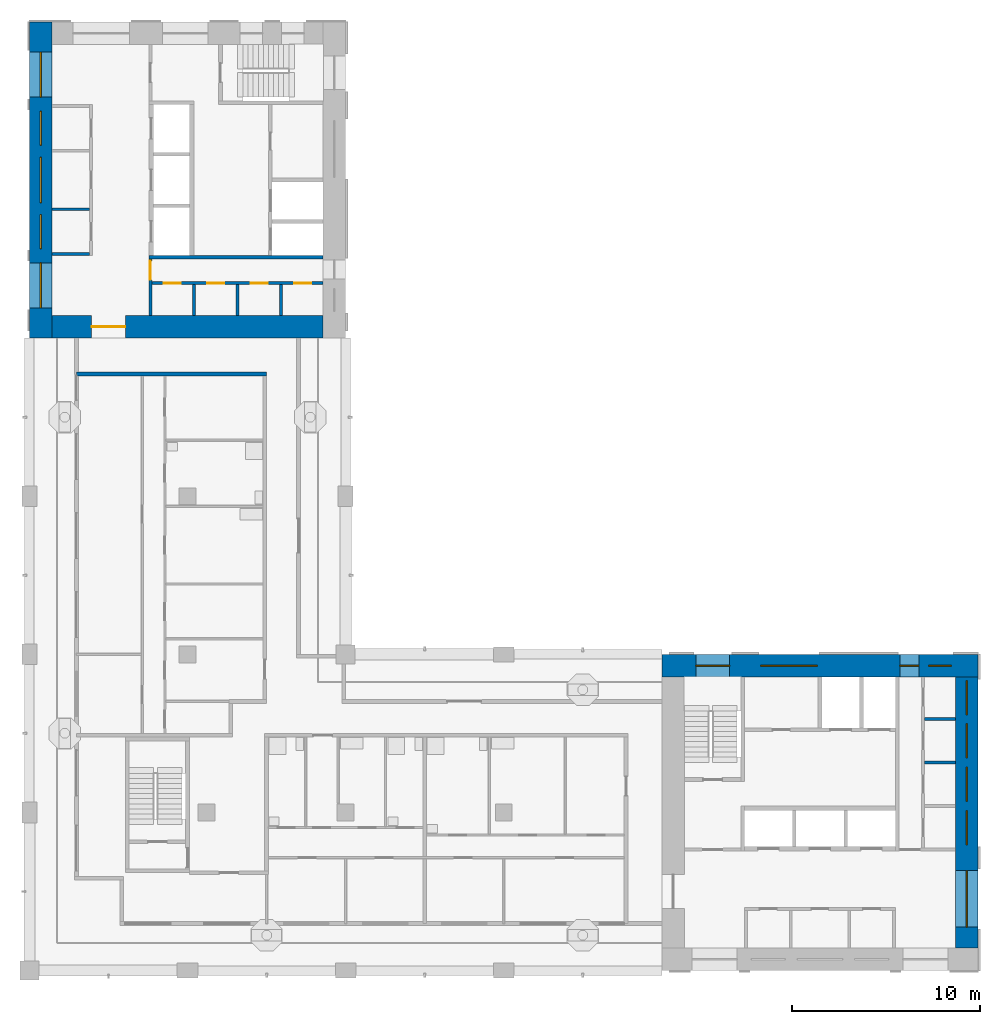
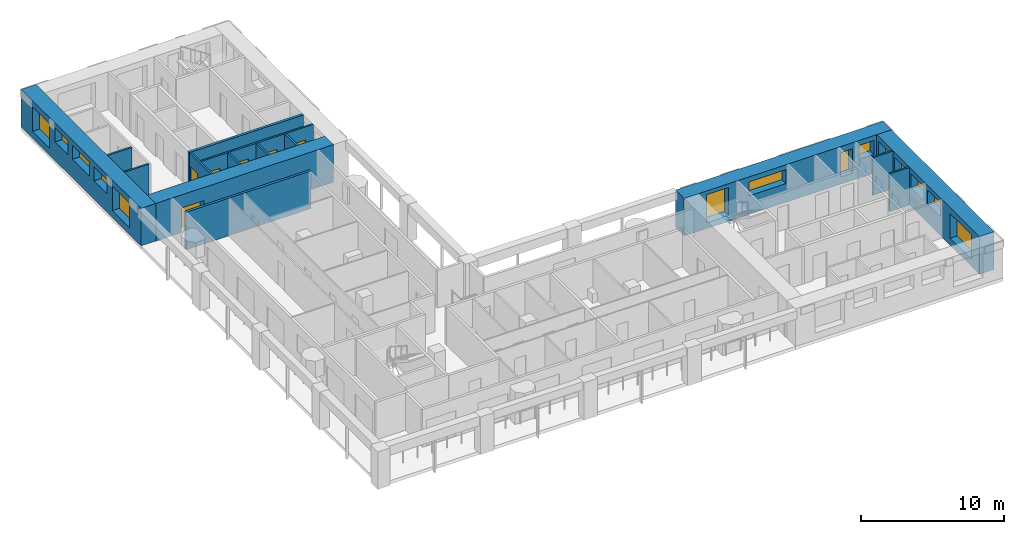
# One storey, part 5 of 12: 15 walls, 14 windows, 6 doors, 20 openings.
"""IFC4 building model written with IfcOpenShell, lengths in metres."""

from ifc_helpers import new_model, si_unit, direction, frame, frame_2d, origin, place, context, subcontext, project, spatial, rectangle, extrude, material, layer, layer_set, type_object, element, fill, save


model = new_model("IFC4")

# Units and contexts
model_context = context("Model", 3, precision=1e-05, world=origin(), true_north=direction((0.0, 1.0)))
body_context = subcontext(model_context, "Body", "Model", "MODEL_VIEW")
ifc_project = project(units=[si_unit("LENGTHUNIT", "METRE"), si_unit("AREAUNIT", "SQUARE_METRE"), si_unit("VOLUMEUNIT", "CUBIC_METRE"), si_unit("PLANEANGLEUNIT", "RADIAN"), si_unit("MASSUNIT", "GRAM", prefix="KILO")], contexts=[model_context])

# Site, building, storey
site_placement = place(None, origin())
site = spatial("IfcSite", under=ifc_project, at=site_placement, CompositionType="ELEMENT")
building_placement = place(site_placement, origin())
building = spatial("IfcBuilding", under=site, at=building_placement, Name="Vermilion Gate Residences", CompositionType="ELEMENT")
storey_placement = place(building_placement, frame((0.0, 0.0, 235.199951171875)))
storey = spatial("IfcBuildingStorey", under=building, at=storey_placement, Name="L61", CompositionType="ELEMENT", Elevation=235.199951171875)

# Walls
ifc_material_1 = material(Name="Masonry blockwork", Category="masonry")
ifc_layer_1 = layer(ifc_material_1, 0.14990234375)
ifc_layer_set_1 = layer_set([ifc_layer_1], Name="BLOCKWORK PARTITION 150 EI 120")
wall_type_1 = type_object("IfcWallType", Name="BLOCKWORK PARTITION 150 EI 120", PredefinedType="PARTITIONING", material=ifc_layer_set_1)
for number, where, z_axis, x_axis, name in (
    (1, (55.949951171875, 19.449951171875, 0.0), (0.0, 0.0, 1.0), (1.0, 0.0, 0.0), "Core room partition A61-ES-P1"),
    (2, (55.949951171875, 21.762451171875, 0.0), (0.0, 0.0, 1.0), (1.0, 0.0, 0.0), "Core room partition A61-ES-P2"),
):
    element("IfcWall", number, at=place(storey_placement, frame(where, z_axis=z_axis, x_axis=x_axis)), inside=storey, type_object=wall_type_1, Name=name, PredefinedType="PARTITIONING", context=body_context, shape_type="SweptSolid", body=[
        extrude(rectangle(XDim=1.650146484375, YDim=0.14990234375, at=frame_2d((0.8251953125, 0.0))), origin(), (0.0, 0.0, 1.0), 3.219970703125),
    ])
for number, where, z_axis, x_axis, name in (
    (3, (9.60009765625, 46.47509765625, 0.0), (0.0, 0.0, 1.0), (1.0, 0.0, 0.0), "Core room partition B61-RW-E"),
    (4, (9.60009765625, 48.844970703125, 0.0), (0.0, 0.0, 1.0), (1.0, 0.0, 0.0), "Core room partition B61-SR-P1"),
):
    element("IfcWall", number, at=place(storey_placement, frame(where, z_axis=z_axis, x_axis=x_axis)), inside=storey, type_object=wall_type_1, Name=name, PredefinedType="PARTITIONING", context=body_context, shape_type="SweptSolid", body=[
        extrude(rectangle(XDim=2.0, YDim=0.14990234375, at=frame_2d((1.0, 0.0))), origin(), (0.0, 0.0, 1.0), 3.219970703125),
    ])

# Wall, opening, door
wall_1_placement = place(storey_placement, frame((14.824951171875, 46.199951171875, 0.0), z_axis=(0.0, 0.0, 1.0), x_axis=(0.0, -1.0, 0.0)))
wall_1 = element("IfcWall", 5, at=wall_1_placement, inside=storey, type_object=wall_type_1, Name="Core room partition B61-ES-S", PredefinedType="PARTITIONING", context=body_context, shape_type="SweptSolid", body=[
    extrude(rectangle(XDim=3.0, YDim=0.14990234375, at=frame_2d((1.5, 0.0))), origin(), (0.0, 0.0, 1.0), 3.219970703125),
])
opening_1_placement = place(wall_1_placement, frame((0.10009765625, 0.0, 0.0)))
opening_1 = element("IfcOpeningElement", 6, at=opening_1_placement, cuts=wall_1, Name="Opening DK61113", PredefinedType="OPENING", context=body_context, shape_type="SweptSolid", body=[
    extrude(rectangle(XDim=1.0, YDim=2.10009765625, at=frame_2d((0.5, 1.050048828125))), frame((0.0, 0.0849609375, 0.0), z_axis=(0.0, -1.0, 0.0), x_axis=(1.0, 0.0, 0.0)), (0.0, 0.0, 1.0), 0.169921875),
])
ifc_material_2 = material(Name="Steel", Category="steel")
door_type_1 = type_object("IfcDoorType", Name="FIRE DOOR FD60 1000 X 2100", OperationType="SINGLE_SWING_LEFT", PredefinedType="DOOR", material=ifc_material_2)
door_1_placement = place(opening_1_placement, frame((1.0, 0.0, 0.0), z_axis=(0.0, 0.0, 1.0), x_axis=(-1.0, 0.0, 0.0)))
door_1 = element("IfcDoor", 7, at=door_1_placement, inside=storey, type_object=door_type_1, Name="Service corridor door B61", OperationType="SINGLE_SWING_LEFT", OverallHeight=2.10009765625, OverallWidth=1.0, PredefinedType="DOOR", context=body_context, shape_type="SweptSolid", body=[
    extrude(rectangle(XDim=1.0, YDim=2.10009765625, at=frame_2d((0.5, 1.050048828125))), frame((0.0, 0.02490234375, 0.0), z_axis=(0.0, -1.0, 0.0), x_axis=(1.0, 0.0, 0.0)), (0.0, 0.0, 1.0), 0.050048828125),
])
fill(opening_1, door_1)

# Walls
for number, where, z_axis, x_axis, name in (
    (8, (17.137451171875, 44.85009765625, 0.0), (0.0, 0.0, 1.0), (0.0, -1.0, 0.0), "Core room partition B61-ES-P0"),
    (9, (19.449951171875, 44.85009765625, 0.0), (0.0, 0.0, 1.0), (0.0, -1.0, 0.0), "Core room partition B61-ES-P1"),
    (10, (21.762451171875, 44.85009765625, 0.0), (0.0, 0.0, 1.0), (0.0, -1.0, 0.0), "Core room partition B61-ES-P2"),
):
    element("IfcWall", number, at=place(storey_placement, frame(where, z_axis=z_axis, x_axis=x_axis)), inside=storey, type_object=wall_type_1, Name=name, PredefinedType="PARTITIONING", context=body_context, shape_type="SweptSolid", body=[
        extrude(rectangle(XDim=1.650146484375, YDim=0.14990234375, at=frame_2d((0.8251953125, 0.0))), origin(), (0.0, 0.0, 1.0), 3.219970703125),
    ])

# Wall, openings, doors
wall_2_placement = place(storey_placement, frame((14.89990234375, 44.925048828125, 0.0), z_axis=(0.0, 0.0, 1.0), x_axis=(1.0, 0.0, 0.0)))
wall_2 = element("IfcWall", 11, at=wall_2_placement, inside=storey, type_object=wall_type_1, Name="Core room partition B61-ES-W", PredefinedType="PARTITIONING", context=body_context, shape_type="SweptSolid", body=[
    extrude(rectangle(XDim=9.10009765625, YDim=0.14990234375, at=frame_2d((4.550048828125, 0.0))), origin(), (0.0, 0.0, 1.0), 3.219970703125),
])
opening_2_placement = place(wall_2_placement, frame((0.63134765625, 0.0, 0.0)))
opening_2 = element("IfcOpeningElement", 12, at=opening_2_placement, cuts=wall_2, Name="Opening DK61114", PredefinedType="OPENING", context=body_context, shape_type="SweptSolid", body=[
    extrude(rectangle(XDim=0.89990234375, YDim=2.10009765625, at=frame_2d((0.449951171875, 1.050048828125))), frame((0.0, 0.0849609375, 0.0), z_axis=(0.0, -1.0, 0.0), x_axis=(1.0, 0.0, 0.0)), (0.0, 0.0, 1.0), 0.169921875),
])
opening_3_placement = place(wall_2_placement, frame((2.94384765625, 0.0, 0.0)))
opening_3 = element("IfcOpeningElement", 13, at=opening_3_placement, cuts=wall_2, Name="Opening DK61115", PredefinedType="OPENING", context=body_context, shape_type="SweptSolid", body=[
    extrude(rectangle(XDim=0.89990234375, YDim=2.10009765625, at=frame_2d((0.449951171875, 1.050048828125))), frame((0.0, 0.0849609375, 0.0), z_axis=(0.0, -1.0, 0.0), x_axis=(1.0, 0.0, 0.0)), (0.0, 0.0, 1.0), 0.169921875),
])
opening_4_placement = place(wall_2_placement, frame((5.25634765625, 0.0, 0.0)))
opening_4 = element("IfcOpeningElement", 14, at=opening_4_placement, cuts=wall_2, Name="Opening DK61116", PredefinedType="OPENING", context=body_context, shape_type="SweptSolid", body=[
    extrude(rectangle(XDim=0.89990234375, YDim=2.10009765625, at=frame_2d((0.449951171875, 1.050048828125))), frame((0.0, 0.0849609375, 0.0), z_axis=(0.0, -1.0, 0.0), x_axis=(1.0, 0.0, 0.0)), (0.0, 0.0, 1.0), 0.169921875),
])
opening_5_placement = place(wall_2_placement, frame((7.56884765625, 0.0, 0.0)))
opening_5 = element("IfcOpeningElement", 15, at=opening_5_placement, cuts=wall_2, Name="Opening DK61117", PredefinedType="OPENING", context=body_context, shape_type="SweptSolid", body=[
    extrude(rectangle(XDim=0.89990234375, YDim=2.10009765625, at=frame_2d((0.449951171875, 1.050048828125))), frame((0.0, 0.0849609375, 0.0), z_axis=(0.0, -1.0, 0.0), x_axis=(1.0, 0.0, 0.0)), (0.0, 0.0, 1.0), 0.169921875),
])
ifc_material_3 = material(Name="Steel", Category="steel")
door_type_2 = type_object("IfcDoorType", Name="SERVICE ROOM DOOR FD60 900 X 2100", OperationType="SINGLE_SWING_LEFT", PredefinedType="DOOR", material=ifc_material_3)
door_2_placement = place(opening_2_placement, frame((0.89990234375, 0.0, 0.0), z_axis=(0.0, 0.0, 1.0), x_axis=(-1.0, 0.0, 0.0)))
door_2 = element("IfcDoor", 16, at=door_2_placement, inside=storey, type_object=door_type_2, Name="Storage room B61", OperationType="SINGLE_SWING_RIGHT", OverallHeight=2.10009765625, OverallWidth=0.89990234375, PredefinedType="DOOR", context=body_context, shape_type="SweptSolid", body=[
    extrude(rectangle(XDim=0.89990234375, YDim=2.10009765625, at=frame_2d((0.449951171875, 1.050048828125))), frame((0.0, 0.02490234375, 0.0), z_axis=(0.0, -1.0, 0.0), x_axis=(1.0, 0.0, 0.0)), (0.0, 0.0, 1.0), 0.050048828125),
])
fill(opening_2, door_2)
door_3_placement = place(opening_3_placement, frame((0.89990234375, 0.0, 0.0), z_axis=(0.0, 0.0, 1.0), x_axis=(-1.0, 0.0, 0.0)))
door_3 = element("IfcDoor", 17, at=door_3_placement, inside=storey, type_object=door_type_2, Name="Refuse room B61", OperationType="SINGLE_SWING_RIGHT", OverallHeight=2.10009765625, OverallWidth=0.89990234375, PredefinedType="DOOR", context=body_context, shape_type="SweptSolid", body=[
    extrude(rectangle(XDim=0.89990234375, YDim=2.10009765625, at=frame_2d((0.449951171875, 1.050048828125))), frame((0.0, 0.02490234375, 0.0), z_axis=(0.0, -1.0, 0.0), x_axis=(1.0, 0.0, 0.0)), (0.0, 0.0, 1.0), 0.050048828125),
])
fill(opening_3, door_3)
door_4_placement = place(opening_4_placement, frame((0.89990234375, 0.0, 0.0), z_axis=(0.0, 0.0, 1.0), x_axis=(-1.0, 0.0, 0.0)))
door_4 = element("IfcDoor", 18, at=door_4_placement, inside=storey, type_object=door_type_2, Name="Parcel room B61", OperationType="SINGLE_SWING_RIGHT", OverallHeight=2.10009765625, OverallWidth=0.89990234375, PredefinedType="DOOR", context=body_context, shape_type="SweptSolid", body=[
    extrude(rectangle(XDim=0.89990234375, YDim=2.10009765625, at=frame_2d((0.449951171875, 1.050048828125))), frame((0.0, 0.02490234375, 0.0), z_axis=(0.0, -1.0, 0.0), x_axis=(1.0, 0.0, 0.0)), (0.0, 0.0, 1.0), 0.050048828125),
])
fill(opening_4, door_4)
door_5_placement = place(opening_5_placement, frame((0.89990234375, 0.0, 0.0), z_axis=(0.0, 0.0, 1.0), x_axis=(-1.0, 0.0, 0.0)))
door_5 = element("IfcDoor", 19, at=door_5_placement, inside=storey, type_object=door_type_2, Name="Cleaner's store B61", OperationType="SINGLE_SWING_RIGHT", OverallHeight=2.10009765625, OverallWidth=0.89990234375, PredefinedType="DOOR", context=body_context, shape_type="SweptSolid", body=[
    extrude(rectangle(XDim=0.89990234375, YDim=2.10009765625, at=frame_2d((0.449951171875, 1.050048828125))), frame((0.0, 0.02490234375, 0.0), z_axis=(0.0, -1.0, 0.0), x_axis=(1.0, 0.0, 0.0)), (0.0, 0.0, 1.0), 0.050048828125),
])
fill(opening_5, door_5)

# Walls
ifc_material_4 = material(Name="Fire-rated plasterboard on steel studs", Category="steel")
ifc_layer_2 = layer(ifc_material_4, 0.199951171875)
ifc_layer_set_2 = layer_set([ifc_layer_2], Name="PARTY WALL 200 EI 120")
wall_type_2 = type_object("IfcWallType", Name="PARTY WALL 200 EI 120", PredefinedType="PARTITIONING", material=ifc_layer_set_2)
wall_3_placement = place(storey_placement, frame((10.89990234375, 40.10009765625, 0.0), z_axis=(0.0, 0.0, 1.0), x_axis=(1.0, 0.0, 0.0)))
element("IfcWall", 20, at=wall_3_placement, inside=storey, type_object=wall_type_2, Name="Party and corridor wall", PredefinedType="PARTITIONING", context=body_context, shape_type="SweptSolid", body=[
    extrude(rectangle(XDim=10.10009765625, YDim=0.199951171875, at=frame_2d((5.050048828125, 0.0))), origin(), (0.0, 0.0, 1.0), 3.219970703125),
])
ifc_material_5 = material(Name="Concrete C60", Category="concrete")
ifc_layer_3 = layer(ifc_material_5, 0.199951171875)
ifc_layer_set_3 = layer_set([ifc_layer_3], Name="RC CORE INTERNAL WALL 200 C60")
wall_type_3 = type_object("IfcWallType", Name="RC CORE INTERNAL WALL 200 C60", PredefinedType="SHEAR", material=ifc_layer_set_3)
wall_4_placement = place(storey_placement, frame((14.75, 46.300048828125, 0.0), z_axis=(0.0, 0.0, 1.0), x_axis=(1.0, 0.0, 0.0)))
element("IfcWall", 21, at=wall_4_placement, inside=storey, type_object=wall_type_3, Name="Core internal wall B61-EDIV", PredefinedType="SHEAR", context=body_context, shape_type="SweptSolid", body=[
    extrude(rectangle(XDim=9.25, YDim=0.199951171875, at=frame_2d((4.625, 0.0))), origin(), (0.0, 0.0, 1.0), 3.219970703125),
])

# Wall, opening, door
ifc_material_6 = material(Name="Concrete C50", Category="concrete")
ifc_layer_4 = layer(ifc_material_6, 1.199951171875)
ifc_layer_set_4 = layer_set([ifc_layer_4], Name="RC CORE WALL 1200 C50")
wall_type_4 = type_object("IfcWallType", Name="RC CORE WALL 1200 C50", PredefinedType="SHEAR", material=ifc_layer_set_4)
wall_5_placement = place(storey_placement, frame((9.60009765625, 42.60009765625, 0.0), z_axis=(0.0, 0.0, 1.0), x_axis=(1.0, 0.0, 0.0)))
wall_5 = element("IfcWall", 22, at=wall_5_placement, inside=storey, type_object=wall_type_4, Name="Core wall B61-OUT-BK", PredefinedType="SHEAR", context=body_context, shape_type="SweptSolid", body=[
    extrude(rectangle(XDim=14.39990234375, YDim=1.199951171875, at=frame_2d((7.199951171875, 0.0))), origin(), (0.0, 0.0, 1.0), 3.219970703125),
])
opening_6_placement = place(wall_5_placement, frame((2.10009765625, 0.0, 0.0)))
opening_6 = element("IfcOpeningElement", 23, at=opening_6_placement, cuts=wall_5, Name="Opening DK61101", PredefinedType="OPENING", context=body_context, shape_type="SweptSolid", body=[
    extrude(rectangle(XDim=1.800048828125, YDim=2.10009765625, at=frame_2d((0.89990234375, 1.050048828125))), frame((0.0, 0.60986328125, 0.0), z_axis=(0.0, -1.0, 0.0), x_axis=(1.0, 0.0, 0.0)), (0.0, 0.0, 1.0), 1.219970703125),
])
ifc_material_7 = material(Name="Steel", Category="steel")
door_type_3 = type_object("IfcDoorType", Name="CORE LOBBY DOOR FD60 1800 X 2100", OperationType="DOUBLE_DOOR_SINGLE_SWING", PredefinedType="DOOR", material=ifc_material_7)
door_6_placement = place(opening_6_placement, frame((1.800048828125, 0.0, 0.0), z_axis=(0.0, 0.0, 1.0), x_axis=(-1.0, 0.0, 0.0)))
door_6 = element("IfcDoor", 24, at=door_6_placement, inside=storey, type_object=door_type_3, Name="Core lobby door B61", OperationType="DOUBLE_DOOR_SINGLE_SWING", OverallHeight=2.10009765625, OverallWidth=1.800048828125, PredefinedType="DOOR", context=body_context, shape_type="SweptSolid", body=[
    extrude(rectangle(XDim=1.800048828125, YDim=2.10009765625, at=frame_2d((0.89990234375, 1.050048828125))), frame((0.0, 0.02490234375, 0.0), z_axis=(0.0, -1.0, 0.0), x_axis=(1.0, 0.0, 0.0)), (0.0, 0.0, 1.0), 0.050048828125),
])
fill(opening_6, door_6)

# Wall, openings, windows
ifc_material_8 = material(Name="Concrete C50 red-oxide pigmented", Category="concrete")
ifc_layer_5 = layer(ifc_material_8, 1.199951171875)
ifc_layer_set_5 = layer_set([ifc_layer_5], Name="RC CORE WALL 1200 C50 RED OXIDE")
wall_type_5 = type_object("IfcWallType", Name="RC CORE WALL 1200 C50 RED OXIDE", PredefinedType="SHEAR", material=ifc_layer_set_5)
wall_6_placement = place(storey_placement, frame((42.0, 24.60009765625, 0.0), z_axis=(0.0, 0.0, 1.0), x_axis=(1.0, 0.0, 0.0)))
wall_6 = element("IfcWall", 25, at=wall_6_placement, inside=storey, type_object=wall_type_5, Name="Core wall A61-OUT-B1", PredefinedType="SHEAR", context=body_context, shape_type="SweptSolid", body=[
    extrude(rectangle(XDim=16.800048828125, YDim=1.199951171875, at=frame_2d((8.39990234375, 0.0))), origin(), (0.0, 0.0, 1.0), 3.219970703125),
])
opening_7_placement = place(wall_6_placement, frame((1.800048828125, 0.0, 0.5)))
opening_7 = element("IfcOpeningElement", 26, at=opening_7_placement, cuts=wall_6, Name="Opening WKA6106", PredefinedType="OPENING", context=body_context, shape_type="SweptSolid", body=[
    extrude(rectangle(XDim=1.800048828125, YDim=2.39990234375, at=frame_2d((0.89990234375, 1.199951171875))), frame((0.0, 0.60986328125, 0.0), z_axis=(0.0, -1.0, 0.0), x_axis=(1.0, 0.0, 0.0)), (0.0, 0.0, 1.0), 1.219970703125),
])
opening_8_placement = place(wall_6_placement, frame((5.25, 0.0, 1.60009765625)))
opening_8 = element("IfcOpeningElement", 27, at=opening_8_placement, cuts=wall_6, Name="Opening WKA6107", PredefinedType="OPENING", context=body_context, shape_type="SweptSolid", body=[
    extrude(rectangle(XDim=3.0, YDim=1.199951171875, at=frame_2d((1.5, 0.60009765625))), frame((0.0, 0.60986328125, 0.0), z_axis=(0.0, -1.0, 0.0), x_axis=(1.0, 0.0, 0.0)), (0.0, 0.0, 1.0), 1.219970703125),
])
opening_9_placement = place(wall_6_placement, frame((12.64990234375, 0.0, 0.60009765625)))
opening_9 = element("IfcOpeningElement", 28, at=opening_9_placement, cuts=wall_6, Name="Opening WKA6108", PredefinedType="OPENING", context=body_context, shape_type="SweptSolid", body=[
    extrude(rectangle(XDim=1.0, YDim=2.10009765625, at=frame_2d((0.5, 1.050048828125))), frame((0.0, 0.60986328125, 0.0), z_axis=(0.0, -1.0, 0.0), x_axis=(1.0, 0.0, 0.0)), (0.0, 0.0, 1.0), 1.219970703125),
])
opening_10_placement = place(wall_6_placement, frame((14.175048828125, 0.0, 1.60009765625)))
opening_10 = element("IfcOpeningElement", 29, at=opening_10_placement, cuts=wall_6, Name="Opening WKA6109", PredefinedType="OPENING", context=body_context, shape_type="SweptSolid", body=[
    extrude(rectangle(XDim=1.199951171875, YDim=1.199951171875, at=frame_2d((0.60009765625, 0.60009765625))), frame((0.0, 0.60986328125, 0.0), z_axis=(0.0, -1.0, 0.0), x_axis=(1.0, 0.0, 0.0)), (0.0, 0.0, 1.0), 1.219970703125),
])
ifc_material_9 = material(Name="Aluminium and clear glass", Category="aluminium")
window_type_1 = type_object("IfcWindowType", Name="CORE CORRIDOR WINDOW 1000 X 2100", PartitioningType="SINGLE_PANEL", PredefinedType="WINDOW", material=ifc_material_9)
window_1_placement = place(opening_9_placement, origin())
window_1 = element("IfcWindow", 30, at=window_1_placement, inside=storey, type_object=window_type_1, Name="Core corridor window", OverallHeight=2.10009765625, OverallWidth=1.0, PartitioningType="SINGLE_PANEL", PredefinedType="WINDOW", context=body_context, shape_type="SweptSolid", body=[
    extrude(rectangle(XDim=1.0, YDim=2.10009765625, at=frame_2d((0.5, 1.050048828125))), frame((0.0, 0.030029296875, 0.0), z_axis=(0.0, -1.0, 0.0), x_axis=(1.0, 0.0, 0.0)), (0.0, 0.0, 1.0), 0.06005859375),
])
fill(opening_9, window_1)
ifc_material_10 = material(Name="Aluminium frame with louvre blades", Category="aluminium")
window_type_2 = type_object("IfcWindowType", Name="CORE LOUVRE 1200 X 1200", PartitioningType="SINGLE_PANEL", PredefinedType="WINDOW", material=ifc_material_10)
window_2_placement = place(opening_10_placement, origin())
window_2 = element("IfcWindow", 31, at=window_2_placement, inside=storey, type_object=window_type_2, Name="Core louvre", OverallHeight=1.199951171875, OverallWidth=1.199951171875, PartitioningType="SINGLE_PANEL", PredefinedType="WINDOW", context=body_context, shape_type="SweptSolid", body=[
    extrude(rectangle(XDim=1.199951171875, YDim=1.199951171875, at=frame_2d((0.60009765625, 0.60009765625))), frame((0.0, 0.030029296875, 0.0), z_axis=(0.0, -1.0, 0.0), x_axis=(1.0, 0.0, 0.0)), (0.0, 0.0, 1.0), 0.06005859375),
])
fill(opening_10, window_2)
ifc_material_11 = material(Name="Aluminium frame with louvre blades", Category="aluminium")
window_type_3 = type_object("IfcWindowType", Name="CORE LOUVRE 3000 X 1200", PartitioningType="SINGLE_PANEL", PredefinedType="WINDOW", material=ifc_material_11)
window_3_placement = place(opening_8_placement, origin())
window_3 = element("IfcWindow", 32, at=window_3_placement, inside=storey, type_object=window_type_3, Name="Core louvre", OverallHeight=1.199951171875, OverallWidth=3.0, PartitioningType="SINGLE_PANEL", PredefinedType="WINDOW", context=body_context, shape_type="SweptSolid", body=[
    extrude(rectangle(XDim=3.0, YDim=1.199951171875, at=frame_2d((1.5, 0.60009765625))), frame((0.0, 0.030029296875, 0.0), z_axis=(0.0, -1.0, 0.0), x_axis=(1.0, 0.0, 0.0)), (0.0, 0.0, 1.0), 0.06005859375),
])
fill(opening_8, window_3)
ifc_material_12 = material(Name="Aluminium and clear glass", Category="aluminium")
window_type_4 = type_object("IfcWindowType", Name="CORE STAIR WINDOW 1800 X 2400", PartitioningType="SINGLE_PANEL", PredefinedType="WINDOW", material=ifc_material_12)
window_4_placement = place(opening_7_placement, origin())
window_4 = element("IfcWindow", 33, at=window_4_placement, inside=storey, type_object=window_type_4, Name="Core stair window", OverallHeight=2.39990234375, OverallWidth=1.800048828125, PartitioningType="SINGLE_PANEL", PredefinedType="WINDOW", context=body_context, shape_type="SweptSolid", body=[
    extrude(rectangle(XDim=1.800048828125, YDim=2.39990234375, at=frame_2d((0.89990234375, 1.199951171875))), frame((0.0, 0.030029296875, 0.0), z_axis=(0.0, -1.0, 0.0), x_axis=(1.0, 0.0, 0.0)), (0.0, 0.0, 1.0), 0.06005859375),
])
fill(opening_7, window_4)

wall_7_placement = place(storey_placement, frame((58.199951171875, 9.60009765625, 0.0), z_axis=(0.0, 0.0, 1.0), x_axis=(0.0, 1.0, 0.0)))
wall_7 = element("IfcWall", 34, at=wall_7_placement, inside=storey, type_object=wall_type_5, Name="Core wall A61-OUT-BK", PredefinedType="SHEAR", context=body_context, shape_type="SweptSolid", body=[
    extrude(rectangle(XDim=14.39990234375, YDim=1.199951171875, at=frame_2d((7.199951171875, 0.0))), origin(), (0.0, 0.0, 1.0), 3.219970703125),
])
opening_11_placement = place(wall_7_placement, frame((1.10498046875, 0.0, 0.60009765625)))
opening_11 = element("IfcOpeningElement", 35, at=opening_11_placement, cuts=wall_7, Name="Opening WKA6110", PredefinedType="OPENING", context=body_context, shape_type="SweptSolid", body=[
    extrude(rectangle(XDim=3.0, YDim=2.10009765625, at=frame_2d((1.5, 1.050048828125))), frame((0.0, 0.60986328125, 0.0), z_axis=(0.0, -1.0, 0.0), x_axis=(1.0, 0.0, 0.0)), (0.0, 0.0, 1.0), 1.219970703125),
])
opening_12_placement = place(wall_7_placement, frame((5.481201171875, 0.0, 1.60009765625)))
opening_12 = element("IfcOpeningElement", 36, at=opening_12_placement, cuts=wall_7, Name="Opening WKA6111", PredefinedType="OPENING", context=body_context, shape_type="SweptSolid", body=[
    extrude(rectangle(XDim=1.800048828125, YDim=1.199951171875, at=frame_2d((0.89990234375, 0.60009765625))), frame((0.0, 0.60986328125, 0.0), z_axis=(0.0, -1.0, 0.0), x_axis=(1.0, 0.0, 0.0)), (0.0, 0.0, 1.0), 1.219970703125),
])
opening_13_placement = place(wall_7_placement, frame((7.793701171875, 0.0, 1.60009765625)))
opening_13 = element("IfcOpeningElement", 37, at=opening_13_placement, cuts=wall_7, Name="Opening WKA6112", PredefinedType="OPENING", context=body_context, shape_type="SweptSolid", body=[
    extrude(rectangle(XDim=1.800048828125, YDim=1.199951171875, at=frame_2d((0.89990234375, 0.60009765625))), frame((0.0, 0.60986328125, 0.0), z_axis=(0.0, -1.0, 0.0), x_axis=(1.0, 0.0, 0.0)), (0.0, 0.0, 1.0), 1.219970703125),
])
opening_14_placement = place(wall_7_placement, frame((10.106201171875, 0.0, 1.60009765625)))
opening_14 = element("IfcOpeningElement", 38, at=opening_14_placement, cuts=wall_7, Name="Opening WKA6113", PredefinedType="OPENING", context=body_context, shape_type="SweptSolid", body=[
    extrude(rectangle(XDim=1.800048828125, YDim=1.199951171875, at=frame_2d((0.89990234375, 0.60009765625))), frame((0.0, 0.60986328125, 0.0), z_axis=(0.0, -1.0, 0.0), x_axis=(1.0, 0.0, 0.0)), (0.0, 0.0, 1.0), 1.219970703125),
])
opening_15_placement = place(wall_7_placement, frame((12.388916015625, 0.0, 1.60009765625)))
opening_15 = element("IfcOpeningElement", 39, at=opening_15_placement, cuts=wall_7, Name="Opening WKA6114", PredefinedType="OPENING", context=body_context, shape_type="SweptSolid", body=[
    extrude(rectangle(XDim=1.800048828125, YDim=1.199951171875, at=frame_2d((0.89990234375, 0.60009765625))), frame((0.0, 0.60986328125, 0.0), z_axis=(0.0, -1.0, 0.0), x_axis=(1.0, 0.0, 0.0)), (0.0, 0.0, 1.0), 1.219970703125),
])
ifc_material_13 = material(Name="Aluminium and clear glass", Category="aluminium")
window_type_5 = type_object("IfcWindowType", Name="CORE LOBBY WINDOW 3000 X 2100", PartitioningType="SINGLE_PANEL", PredefinedType="WINDOW", material=ifc_material_13)
window_5_placement = place(opening_11_placement, origin())
window_5 = element("IfcWindow", 40, at=window_5_placement, inside=storey, type_object=window_type_5, Name="Core lobby window", OverallHeight=2.10009765625, OverallWidth=3.0, PartitioningType="SINGLE_PANEL", PredefinedType="WINDOW", context=body_context, shape_type="SweptSolid", body=[
    extrude(rectangle(XDim=3.0, YDim=2.10009765625, at=frame_2d((1.5, 1.050048828125))), frame((0.0, 0.030029296875, 0.0), z_axis=(0.0, -1.0, 0.0), x_axis=(1.0, 0.0, 0.0)), (0.0, 0.0, 1.0), 0.06005859375),
])
fill(opening_11, window_5)
ifc_material_14 = material(Name="Aluminium frame with louvre blades", Category="aluminium")
window_type_6 = type_object("IfcWindowType", Name="CORE LOUVRE 1800 X 1200", PartitioningType="SINGLE_PANEL", PredefinedType="WINDOW", material=ifc_material_14)
window_6_placement = place(opening_12_placement, origin())
window_6 = element("IfcWindow", 41, at=window_6_placement, inside=storey, type_object=window_type_6, Name="Core louvre", OverallHeight=1.199951171875, OverallWidth=1.800048828125, PartitioningType="SINGLE_PANEL", PredefinedType="WINDOW", context=body_context, shape_type="SweptSolid", body=[
    extrude(rectangle(XDim=1.800048828125, YDim=1.199951171875, at=frame_2d((0.89990234375, 0.60009765625))), frame((0.0, 0.030029296875, 0.0), z_axis=(0.0, -1.0, 0.0), x_axis=(1.0, 0.0, 0.0)), (0.0, 0.0, 1.0), 0.06005859375),
])
fill(opening_12, window_6)
window_7_placement = place(opening_13_placement, origin())
window_7 = element("IfcWindow", 42, at=window_7_placement, inside=storey, type_object=window_type_6, Name="Core louvre", OverallHeight=1.199951171875, OverallWidth=1.800048828125, PartitioningType="SINGLE_PANEL", PredefinedType="WINDOW", context=body_context, shape_type="SweptSolid", body=[
    extrude(rectangle(XDim=1.800048828125, YDim=1.199951171875, at=frame_2d((0.89990234375, 0.60009765625))), frame((0.0, 0.030029296875, 0.0), z_axis=(0.0, -1.0, 0.0), x_axis=(1.0, 0.0, 0.0)), (0.0, 0.0, 1.0), 0.06005859375),
])
fill(opening_13, window_7)
window_8_placement = place(opening_14_placement, origin())
window_8 = element("IfcWindow", 43, at=window_8_placement, inside=storey, type_object=window_type_6, Name="Core louvre", OverallHeight=1.199951171875, OverallWidth=1.800048828125, PartitioningType="SINGLE_PANEL", PredefinedType="WINDOW", context=body_context, shape_type="SweptSolid", body=[
    extrude(rectangle(XDim=1.800048828125, YDim=1.199951171875, at=frame_2d((0.89990234375, 0.60009765625))), frame((0.0, 0.030029296875, 0.0), z_axis=(0.0, -1.0, 0.0), x_axis=(1.0, 0.0, 0.0)), (0.0, 0.0, 1.0), 0.06005859375),
])
fill(opening_14, window_8)
window_9_placement = place(opening_15_placement, origin())
window_9 = element("IfcWindow", 44, at=window_9_placement, inside=storey, type_object=window_type_6, Name="Core louvre", OverallHeight=1.199951171875, OverallWidth=1.800048828125, PartitioningType="SINGLE_PANEL", PredefinedType="WINDOW", context=body_context, shape_type="SweptSolid", body=[
    extrude(rectangle(XDim=1.800048828125, YDim=1.199951171875, at=frame_2d((0.89990234375, 0.60009765625))), frame((0.0, 0.030029296875, 0.0), z_axis=(0.0, -1.0, 0.0), x_axis=(1.0, 0.0, 0.0)), (0.0, 0.0, 1.0), 0.06005859375),
])
fill(opening_15, window_9)

wall_8_placement = place(storey_placement, frame((9.0, 58.800048828125, 0.0), z_axis=(0.0, 0.0, 1.0), x_axis=(0.0, -1.0, 0.0)))
wall_8 = element("IfcWall", 45, at=wall_8_placement, inside=storey, type_object=wall_type_5, Name="Core wall B61-OUT-B0", PredefinedType="SHEAR", context=body_context, shape_type="SweptSolid", body=[
    extrude(rectangle(XDim=16.800048828125, YDim=1.199951171875, at=frame_2d((8.39990234375, 0.0))), origin(), (0.0, 0.0, 1.0), 3.219970703125),
])
opening_16_placement = place(wall_8_placement, frame((1.60009765625, 0.0, 0.60009765625)))
opening_16 = element("IfcOpeningElement", 46, at=opening_16_placement, cuts=wall_8, Name="Opening WKB6101", PredefinedType="OPENING", context=body_context, shape_type="SweptSolid", body=[
    extrude(rectangle(XDim=2.39990234375, YDim=2.10009765625, at=frame_2d((1.199951171875, 1.050048828125))), frame((0.0, 0.60986328125, 0.0), z_axis=(0.0, -1.0, 0.0), x_axis=(1.0, 0.0, 0.0)), (0.0, 0.0, 1.0), 1.219970703125),
])
opening_17_placement = place(wall_8_placement, frame((4.760009765625, 0.0, 1.60009765625)))
opening_17 = element("IfcOpeningElement", 47, at=opening_17_placement, cuts=wall_8, Name="Opening WKB6102", PredefinedType="OPENING", context=body_context, shape_type="SweptSolid", body=[
    extrude(rectangle(XDim=1.800048828125, YDim=1.199951171875, at=frame_2d((0.89990234375, 0.60009765625))), frame((0.0, 0.60986328125, 0.0), z_axis=(0.0, -1.0, 0.0), x_axis=(1.0, 0.0, 0.0)), (0.0, 0.0, 1.0), 1.219970703125),
])
opening_18_placement = place(wall_8_placement, frame((7.199951171875, 0.0, 1.60009765625)))
opening_18 = element("IfcOpeningElement", 48, at=opening_18_placement, cuts=wall_8, Name="Opening WKB6103", PredefinedType="OPENING", context=body_context, shape_type="SweptSolid", body=[
    extrude(rectangle(XDim=2.39990234375, YDim=1.199951171875, at=frame_2d((1.199951171875, 0.60009765625))), frame((0.0, 0.60986328125, 0.0), z_axis=(0.0, -1.0, 0.0), x_axis=(1.0, 0.0, 0.0)), (0.0, 0.0, 1.0), 1.219970703125),
])
opening_19_placement = place(wall_8_placement, frame((10.239990234375, 0.0, 1.60009765625)))
opening_19 = element("IfcOpeningElement", 49, at=opening_19_placement, cuts=wall_8, Name="Opening WKB6104", PredefinedType="OPENING", context=body_context, shape_type="SweptSolid", body=[
    extrude(rectangle(XDim=1.800048828125, YDim=1.199951171875, at=frame_2d((0.89990234375, 0.60009765625))), frame((0.0, 0.60986328125, 0.0), z_axis=(0.0, -1.0, 0.0), x_axis=(1.0, 0.0, 0.0)), (0.0, 0.0, 1.0), 1.219970703125),
])
opening_20_placement = place(wall_8_placement, frame((12.800048828125, 0.0, 0.60009765625)))
opening_20 = element("IfcOpeningElement", 50, at=opening_20_placement, cuts=wall_8, Name="Opening WKB6105", PredefinedType="OPENING", context=body_context, shape_type="SweptSolid", body=[
    extrude(rectangle(XDim=2.39990234375, YDim=2.10009765625, at=frame_2d((1.199951171875, 1.050048828125))), frame((0.0, 0.60986328125, 0.0), z_axis=(0.0, -1.0, 0.0), x_axis=(1.0, 0.0, 0.0)), (0.0, 0.0, 1.0), 1.219970703125),
])
ifc_material_15 = material(Name="Aluminium and clear glass", Category="aluminium")
window_type_7 = type_object("IfcWindowType", Name="CORE LOBBY WINDOW 2400 X 2100", PartitioningType="SINGLE_PANEL", PredefinedType="WINDOW", material=ifc_material_15)
window_10_placement = place(opening_16_placement, origin())
window_10 = element("IfcWindow", 51, at=window_10_placement, inside=storey, type_object=window_type_7, Name="Core lobby window", OverallHeight=2.10009765625, OverallWidth=2.39990234375, PartitioningType="SINGLE_PANEL", PredefinedType="WINDOW", context=body_context, shape_type="SweptSolid", body=[
    extrude(rectangle(XDim=2.39990234375, YDim=2.10009765625, at=frame_2d((1.199951171875, 1.050048828125))), frame((0.0, 0.030029296875, 0.0), z_axis=(0.0, -1.0, 0.0), x_axis=(1.0, 0.0, 0.0)), (0.0, 0.0, 1.0), 0.06005859375),
])
fill(opening_16, window_10)
window_11_placement = place(opening_20_placement, origin())
window_11 = element("IfcWindow", 52, at=window_11_placement, inside=storey, type_object=window_type_7, Name="Core lobby window", OverallHeight=2.10009765625, OverallWidth=2.39990234375, PartitioningType="SINGLE_PANEL", PredefinedType="WINDOW", context=body_context, shape_type="SweptSolid", body=[
    extrude(rectangle(XDim=2.39990234375, YDim=2.10009765625, at=frame_2d((1.199951171875, 1.050048828125))), frame((0.0, 0.030029296875, 0.0), z_axis=(0.0, -1.0, 0.0), x_axis=(1.0, 0.0, 0.0)), (0.0, 0.0, 1.0), 0.06005859375),
])
fill(opening_20, window_11)
window_12_placement = place(opening_17_placement, origin())
window_12 = element("IfcWindow", 53, at=window_12_placement, inside=storey, type_object=window_type_6, Name="Core louvre", OverallHeight=1.199951171875, OverallWidth=1.800048828125, PartitioningType="SINGLE_PANEL", PredefinedType="WINDOW", context=body_context, shape_type="SweptSolid", body=[
    extrude(rectangle(XDim=1.800048828125, YDim=1.199951171875, at=frame_2d((0.89990234375, 0.60009765625))), frame((0.0, 0.030029296875, 0.0), z_axis=(0.0, -1.0, 0.0), x_axis=(1.0, 0.0, 0.0)), (0.0, 0.0, 1.0), 0.06005859375),
])
fill(opening_17, window_12)
window_13_placement = place(opening_19_placement, origin())
window_13 = element("IfcWindow", 54, at=window_13_placement, inside=storey, type_object=window_type_6, Name="Core louvre", OverallHeight=1.199951171875, OverallWidth=1.800048828125, PartitioningType="SINGLE_PANEL", PredefinedType="WINDOW", context=body_context, shape_type="SweptSolid", body=[
    extrude(rectangle(XDim=1.800048828125, YDim=1.199951171875, at=frame_2d((0.89990234375, 0.60009765625))), frame((0.0, 0.030029296875, 0.0), z_axis=(0.0, -1.0, 0.0), x_axis=(1.0, 0.0, 0.0)), (0.0, 0.0, 1.0), 0.06005859375),
])
fill(opening_19, window_13)
ifc_material_16 = material(Name="Aluminium frame with louvre blades", Category="aluminium")
window_type_8 = type_object("IfcWindowType", Name="CORE LOUVRE 2400 X 1200", PartitioningType="SINGLE_PANEL", PredefinedType="WINDOW", material=ifc_material_16)
window_14_placement = place(opening_18_placement, origin())
window_14 = element("IfcWindow", 55, at=window_14_placement, inside=storey, type_object=window_type_8, Name="Core louvre", OverallHeight=1.199951171875, OverallWidth=2.39990234375, PartitioningType="SINGLE_PANEL", PredefinedType="WINDOW", context=body_context, shape_type="SweptSolid", body=[
    extrude(rectangle(XDim=2.39990234375, YDim=1.199951171875, at=frame_2d((1.199951171875, 0.60009765625))), frame((0.0, 0.030029296875, 0.0), z_axis=(0.0, -1.0, 0.0), x_axis=(1.0, 0.0, 0.0)), (0.0, 0.0, 1.0), 0.06005859375),
])
fill(opening_18, window_14)

save(model, "model.ifc")
